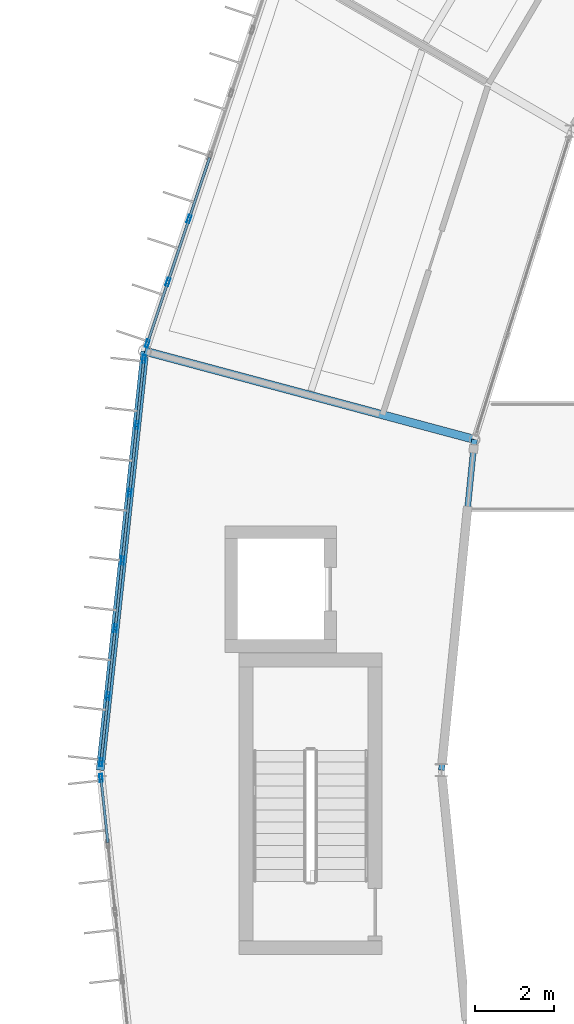
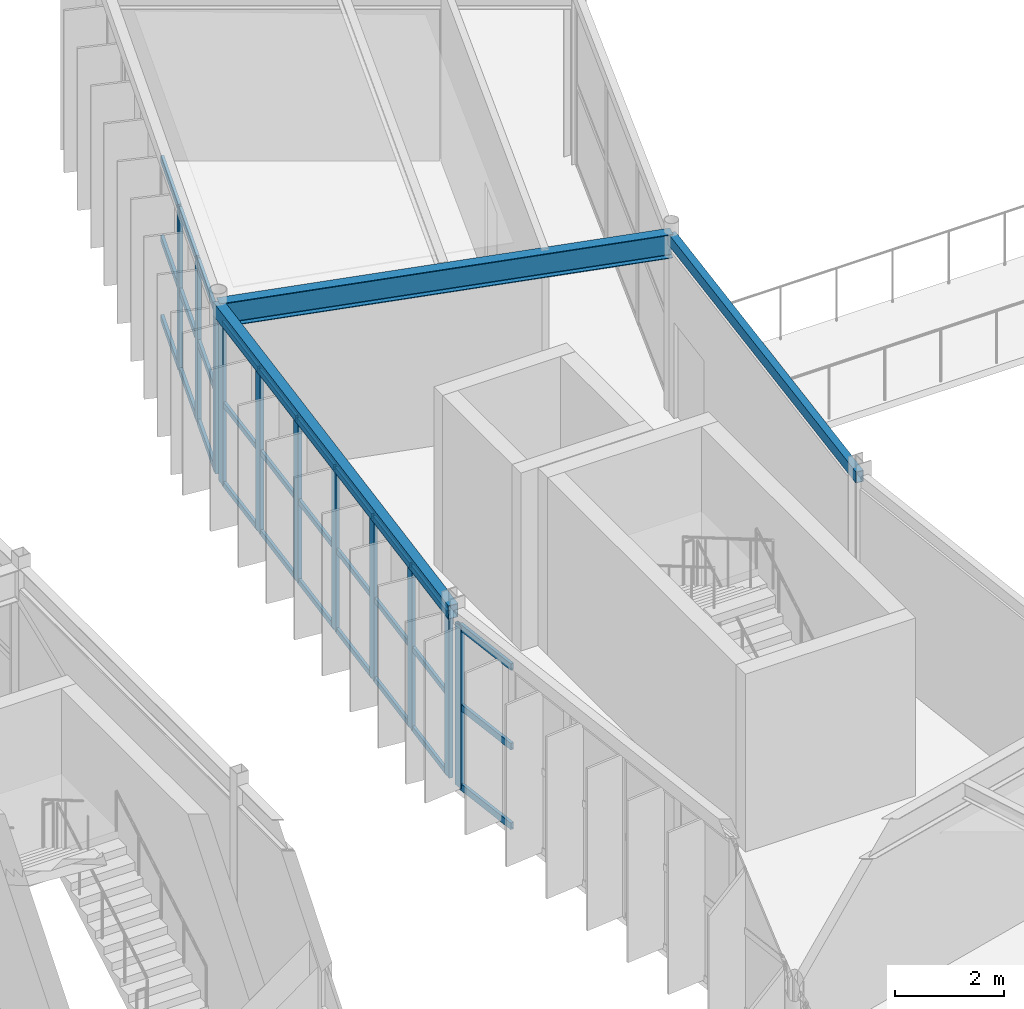
# One storey, part 45 of 148: 41 members, 3 beams, 3 elements without a shape of their own.
"""IFC4 building model written with IfcOpenShell, lengths in metres."""

from ifc_helpers import new_model, si_unit, direction, frame, origin, origin_2d, place, context, subcontext, project, spatial, hollow_rectangle, i_section, extrude, material, material_profile, profile_set, type_object, element, aggregate, save


model = new_model("IFC4")

# Units and contexts
model_context = context("Model", 3, precision=1e-05, world=origin(), true_north=direction((0.0, 1.0)))
body_context = subcontext(model_context, "Body", "Model", "MODEL_VIEW")
ifc_project = project(units=[si_unit("LENGTHUNIT", "METRE"), si_unit("AREAUNIT", "SQUARE_METRE"), si_unit("VOLUMEUNIT", "CUBIC_METRE"), si_unit("PLANEANGLEUNIT", "RADIAN"), si_unit("MASSUNIT", "GRAM", prefix="KILO")], contexts=[model_context])

# Site, building, storey
site_placement = place(None, origin())
site = spatial("IfcSite", under=ifc_project, at=site_placement, CompositionType="ELEMENT")
building_placement = place(site_placement, origin())
building = spatial("IfcBuilding", under=site, at=building_placement, Name="Karori Crest Natural Sciences Institute", CompositionType="ELEMENT")
storey_placement = place(building_placement, frame((0.0, 0.0, 4.89990234375)))
storey = spatial("IfcBuildingStorey", under=building, at=storey_placement, Name="L01", CompositionType="ELEMENT", Elevation=4.89990234375)

# Beams
ifc_material_1 = material(Name="Structural steel AS/NZS 3679.1 Grade 350", Category="steel")
ifc_material_profile_1 = material_profile(ifc_material_1, i_section(OverallWidth=0.208984375, OverallDepth=0.532958984375, WebThickness=0.01025390625, FlangeThickness=0.015625, FilletRadius=0.013916015625, at=origin_2d()), Name="530UB92.4")
ifc_profile_set_1 = profile_set([ifc_material_profile_1], Name="Structural steel AS/NZS 3679.1 Grade 350")
beam_type_1 = type_object("IfcBeamType", Name="BT-05", PredefinedType="BEAM", material=ifc_profile_set_1)
beam_1_placement = place(storey_placement, frame((42.831298828125, 58.23388671875, 3.673583984375), z_axis=(-0.965925622404, 0.258819806009, 0.0), x_axis=(-0.258819806009, -0.965925622404, 0.0)))
element("IfcBeam", 1, at=beam_1_placement, inside=storey, type_object=beam_type_1, Name="Beam B-0225", PredefinedType="BEAM", context=body_context, shape_type="SweptSolid", body=[
    extrude(i_section(OverallWidth=0.208984375, OverallDepth=0.532958984375, WebThickness=0.01025390625, FlangeThickness=0.015625, FilletRadius=0.013916015625, at=origin_2d()), origin(), (0.0, 0.0, 1.0), 8.599853515625),
])
ifc_material_2 = material(Name="Hollow structural steel AS/NZS 1163 Grade C350", Category="steel")
ifc_material_profile_2 = material_profile(ifc_material_2, hollow_rectangle(XDim=0.199951171875, YDim=0.300048828125, WallThickness=0.010009765625, at=origin_2d()), Name="RHS300x200x10")
ifc_profile_set_2 = profile_set([ifc_material_profile_2], Name="Hollow structural steel AS/NZS 1163 Grade C350")
beam_type_2 = type_object("IfcBeamType", Name="BT-15", PredefinedType="SPANDREL", material=ifc_profile_set_2)
beam_2_placement = place(storey_placement, frame((34.5244140625, 60.459716796875, 3.7900390625), z_axis=(-0.105891010563, -0.994377742049, 0.0), x_axis=(0.994377742049, -0.105891010563, 0.0)))
element("IfcBeam", 2, at=beam_2_placement, inside=storey, type_object=beam_type_2, Name="Beam B-0223", PredefinedType="SPANDREL", context=body_context, shape_type="SweptSolid", body=[
    extrude(hollow_rectangle(XDim=0.199951171875, YDim=0.300048828125, WallThickness=0.010009765625, at=origin_2d()), origin(), (0.0, 0.0, 1.0), 10.61962890625),
])
ifc_material_profile_3 = material_profile(ifc_material_2, hollow_rectangle(XDim=0.14990234375, YDim=0.25, WallThickness=0.009033203125, at=origin_2d()), Name="RHS250x150x9")
ifc_profile_set_3 = profile_set([ifc_material_profile_3], Name="Hollow structural steel AS/NZS 1163 Grade C350")
beam_type_3 = type_object("IfcBeamType", Name="BT-16", PredefinedType="SPANDREL", material=ifc_profile_set_3)
beam_3_placement = place(storey_placement, frame((42.831298828125, 58.23388671875, 3.7900390625), z_axis=(-0.099255508608, -0.995061979985, 0.0), x_axis=(0.995061979985, -0.099255508608, 0.0)))
element("IfcBeam", 3, at=beam_3_placement, inside=storey, type_object=beam_type_3, Name="Beam B-0224", PredefinedType="SPANDREL", context=body_context, shape_type="SweptSolid", body=[
    extrude(hollow_rectangle(XDim=0.14990234375, YDim=0.25, WallThickness=0.009033203125, at=origin_2d()), origin(), (0.0, 0.0, 1.0), 8.375244140625),
])

# Curtain wall, members
ifc_material_3 = material(Name="Anodised architectural aluminium 6063-T6", Category="aluminium")
curtain_wall_type_1 = type_object("IfcCurtainWallType", Name="CWT-01", PredefinedType="NOTDEFINED", material=ifc_material_3)
curtain_wall_1_placement = place(storey_placement, origin())
curtain_wall_1 = element("IfcCurtainWall", 4, at=curtain_wall_1_placement, inside=storey, type_object=curtain_wall_type_1, Name="Curtain wall CW-0045", PredefinedType="NOTDEFINED")
ifc_material_profile_4 = material_profile(ifc_material_3, hollow_rectangle(XDim=0.074951171875, YDim=0.199951171875, WallThickness=0.0048828125, at=origin_2d()), Name="CWM200x75x5")
ifc_profile_set_4 = profile_set([ifc_material_profile_4], Name="Anodised architectural aluminium 6063-T6")
member_type_1 = type_object("IfcMemberType", Name="CWM-02", PredefinedType="MULLION", material=ifc_profile_set_4)
member_1_placement = place(storey_placement, frame((34.587158203125, 60.64697265625, 0.0), z_axis=(0.0, 0.0, 1.0), x_axis=(-0.948196219586, 0.317685267462, 0.0)))
member_1 = element("IfcMember", 5, at=member_1_placement, type_object=member_type_1, Name="CW-0045 mullion 1", PredefinedType="MULLION", context=body_context, shape_type="SweptSolid", body=[
    extrude(hollow_rectangle(XDim=0.074951171875, YDim=0.199951171875, WallThickness=0.0048828125, at=origin_2d()), origin(), (0.0, 0.0, 1.0), 3.625),
])
member_2_placement = place(storey_placement, frame((35.10693359375, 62.198486328125, 0.0), z_axis=(0.0, 0.0, 1.0), x_axis=(-0.948196219586, 0.317685267462, 0.0)))
member_2 = element("IfcMember", 6, at=member_2_placement, type_object=member_type_1, Name="CW-0045 mullion 2", PredefinedType="MULLION", context=body_context, shape_type="SweptSolid", body=[
    extrude(hollow_rectangle(XDim=0.074951171875, YDim=0.199951171875, WallThickness=0.0048828125, at=origin_2d()), origin(), (0.0, 0.0, 1.0), 3.625),
])
member_3_placement = place(storey_placement, frame((35.638671875, 63.785400390625, 0.0), z_axis=(0.0, 0.0, 1.0), x_axis=(-0.948196219586, 0.317685267462, 0.0)))
member_3 = element("IfcMember", 7, at=member_3_placement, type_object=member_type_1, Name="CW-0045 mullion 3", PredefinedType="MULLION", context=body_context, shape_type="SweptSolid", body=[
    extrude(hollow_rectangle(XDim=0.074951171875, YDim=0.199951171875, WallThickness=0.0048828125, at=origin_2d()), origin(), (0.0, 0.0, 1.0), 3.625),
])

curtain_wall_type_2 = type_object("IfcCurtainWallType", Name="CWT-02", PredefinedType="NOTDEFINED", material=ifc_material_3)
curtain_wall_2_placement = place(storey_placement, origin())
curtain_wall_2 = element("IfcCurtainWall", 8, at=curtain_wall_2_placement, inside=storey, type_object=curtain_wall_type_2, Name="Curtain wall CW-0047", PredefinedType="NOTDEFINED")
member_4_placement = place(storey_placement, frame((33.421142578125, 50.098876953125, 0.0), z_axis=(0.0, 0.0, 1.0), x_axis=(-0.994378453478, 0.105884329618, 0.0)))
member_4 = element("IfcMember", 9, at=member_4_placement, type_object=member_type_1, Name="CW-0047 mullion 1", PredefinedType="MULLION", context=body_context, shape_type="SweptSolid", body=[
    extrude(hollow_rectangle(XDim=0.074951171875, YDim=0.199951171875, WallThickness=0.0048828125, at=origin_2d()), origin(), (0.0, 0.0, 1.0), 3.625),
])
member_5_placement = place(storey_placement, frame((33.598876953125, 51.76806640625, 0.0), z_axis=(0.0, 0.0, 1.0), x_axis=(-0.994378453478, 0.105884329618, 0.0)))
member_5 = element("IfcMember", 10, at=member_5_placement, type_object=member_type_1, Name="CW-0047 mullion 2", PredefinedType="MULLION", context=body_context, shape_type="SweptSolid", body=[
    extrude(hollow_rectangle(XDim=0.074951171875, YDim=0.199951171875, WallThickness=0.0048828125, at=origin_2d()), origin(), (0.0, 0.0, 1.0), 3.625),
])
member_6_placement = place(storey_placement, frame((33.780517578125, 53.474609375, 0.0), z_axis=(0.0, 0.0, 1.0), x_axis=(-0.994378453478, 0.105884329618, 0.0)))
member_6 = element("IfcMember", 11, at=member_6_placement, type_object=member_type_1, Name="CW-0047 mullion 3", PredefinedType="MULLION", context=body_context, shape_type="SweptSolid", body=[
    extrude(hollow_rectangle(XDim=0.074951171875, YDim=0.199951171875, WallThickness=0.0048828125, at=origin_2d()), origin(), (0.0, 0.0, 1.0), 3.625),
])
member_7_placement = place(storey_placement, frame((33.96240234375, 55.18115234375, 0.0), z_axis=(0.0, 0.0, 1.0), x_axis=(-0.994378453478, 0.105884329618, 0.0)))
member_7 = element("IfcMember", 12, at=member_7_placement, type_object=member_type_1, Name="CW-0047 mullion 4", PredefinedType="MULLION", context=body_context, shape_type="SweptSolid", body=[
    extrude(hollow_rectangle(XDim=0.074951171875, YDim=0.199951171875, WallThickness=0.0048828125, at=origin_2d()), origin(), (0.0, 0.0, 1.0), 3.625),
])
member_8_placement = place(storey_placement, frame((34.14404296875, 56.8876953125, 0.0), z_axis=(0.0, 0.0, 1.0), x_axis=(-0.994378453478, 0.105884329618, 0.0)))
member_8 = element("IfcMember", 13, at=member_8_placement, type_object=member_type_1, Name="CW-0047 mullion 5", PredefinedType="MULLION", context=body_context, shape_type="SweptSolid", body=[
    extrude(hollow_rectangle(XDim=0.074951171875, YDim=0.199951171875, WallThickness=0.0048828125, at=origin_2d()), origin(), (0.0, 0.0, 1.0), 3.625),
])
member_9_placement = place(storey_placement, frame((34.32568359375, 58.59423828125, 0.0), z_axis=(0.0, 0.0, 1.0), x_axis=(-0.994378453478, 0.105884329618, 0.0)))
member_9 = element("IfcMember", 14, at=member_9_placement, type_object=member_type_1, Name="CW-0047 mullion 6", PredefinedType="MULLION", context=body_context, shape_type="SweptSolid", body=[
    extrude(hollow_rectangle(XDim=0.074951171875, YDim=0.199951171875, WallThickness=0.0048828125, at=origin_2d()), origin(), (0.0, 0.0, 1.0), 3.625),
])
member_10_placement = place(storey_placement, frame((34.50341796875, 60.263427734375, 0.0), z_axis=(0.0, 0.0, 1.0), x_axis=(-0.994378453478, 0.105884329618, 0.0)))
member_10 = element("IfcMember", 15, at=member_10_placement, type_object=member_type_1, Name="CW-0047 mullion 7", PredefinedType="MULLION", context=body_context, shape_type="SweptSolid", body=[
    extrude(hollow_rectangle(XDim=0.074951171875, YDim=0.199951171875, WallThickness=0.0048828125, at=origin_2d()), origin(), (0.0, 0.0, 1.0), 3.625),
])

# Curtain wall, member
curtain_wall_type_3 = type_object("IfcCurtainWallType", Name="CWT-03", PredefinedType="NOTDEFINED", material=ifc_material_3)
curtain_wall_3_placement = place(storey_placement, origin())
curtain_wall_3 = element("IfcCurtainWall", 16, at=curtain_wall_3_placement, inside=storey, type_object=curtain_wall_type_3, Name="Curtain wall CW-0048", PredefinedType="NOTDEFINED")
member_11_placement = place(storey_placement, frame((33.421142578125, 49.701171875, 0.0), z_axis=(0.0, 0.0, 1.0), x_axis=(-0.994378742451, -0.105881615789, 0.0)))
member_11 = element("IfcMember", 17, at=member_11_placement, type_object=member_type_1, Name="CW-0048 mullion 7", PredefinedType="MULLION", context=body_context, shape_type="SweptSolid", body=[
    extrude(hollow_rectangle(XDim=0.074951171875, YDim=0.199951171875, WallThickness=0.0048828125, at=origin_2d()), origin(), (0.0, 0.0, 1.0), 3.625),
])

# Member
ifc_material_profile_5 = material_profile(ifc_material_3, hollow_rectangle(XDim=0.06005859375, YDim=0.1201171875, WallThickness=0.00390625, at=origin_2d()), Name="CWT120x60x4")
ifc_profile_set_5 = profile_set([ifc_material_profile_5], Name="Anodised architectural aluminium 6063-T6")
member_type_2 = type_object("IfcMemberType", Name="CWT-TR1", PredefinedType="USERDEFINED", material=ifc_profile_set_5)
member_12_placement = place(storey_placement, frame((33.425048828125, 50.135986328125, 0.030029296875), z_axis=(0.10595259381, 0.994371182137, 0.0), x_axis=(-0.994371182137, 0.10595259381, 0.0)))
member_12 = element("IfcMember", 18, at=member_12_placement, type_object=member_type_2, Name="CW-0047 transom 1.1", ObjectType="TRANSOM", PredefinedType="USERDEFINED", context=body_context, shape_type="SweptSolid", body=[
    extrude(hollow_rectangle(XDim=0.06005859375, YDim=0.1201171875, WallThickness=0.00390625, at=origin_2d()), origin(), (0.0, 0.0, 1.0), 1.603759765625),
])

member_13_placement = place(storey_placement, frame((33.425048828125, 50.135986328125, 1.8125), z_axis=(0.10595259381, 0.994371182137, 0.0), x_axis=(-0.994371182137, 0.10595259381, 0.0)))
member_13 = element("IfcMember", 19, at=member_13_placement, type_object=member_type_2, Name="CW-0047 transom 1.2", ObjectType="TRANSOM", PredefinedType="USERDEFINED", context=body_context, shape_type="SweptSolid", body=[
    extrude(hollow_rectangle(XDim=0.06005859375, YDim=0.1201171875, WallThickness=0.00390625, at=origin_2d()), origin(), (0.0, 0.0, 1.0), 1.603759765625),
])

member_14_placement = place(storey_placement, frame((33.425048828125, 50.135986328125, 3.59521484375), z_axis=(0.10595259381, 0.994371182137, 0.0), x_axis=(-0.994371182137, 0.10595259381, 0.0)))
member_14 = element("IfcMember", 20, at=member_14_placement, type_object=member_type_2, Name="CW-0047 transom 1.3", ObjectType="TRANSOM", PredefinedType="USERDEFINED", context=body_context, shape_type="SweptSolid", body=[
    extrude(hollow_rectangle(XDim=0.06005859375, YDim=0.1201171875, WallThickness=0.00390625, at=origin_2d()), origin(), (0.0, 0.0, 1.0), 1.603759765625),
])

member_15_placement = place(storey_placement, frame((33.602783203125, 51.805419921875, 0.030029296875), z_axis=(0.105923768436, 0.994374253126, 0.0), x_axis=(-0.994374253126, 0.105923768436, 0.0)))
member_15 = element("IfcMember", 21, at=member_15_placement, type_object=member_type_2, Name="CW-0047 transom 2.1", ObjectType="TRANSOM", PredefinedType="USERDEFINED", context=body_context, shape_type="SweptSolid", body=[
    extrude(hollow_rectangle(XDim=0.06005859375, YDim=0.1201171875, WallThickness=0.00390625, at=origin_2d()), origin(), (0.0, 0.0, 1.0), 1.64111328125),
])

member_16_placement = place(storey_placement, frame((33.602783203125, 51.805419921875, 1.8125), z_axis=(0.105923768436, 0.994374253126, 0.0), x_axis=(-0.994374253126, 0.105923768436, 0.0)))
member_16 = element("IfcMember", 22, at=member_16_placement, type_object=member_type_2, Name="CW-0047 transom 2.2", ObjectType="TRANSOM", PredefinedType="USERDEFINED", context=body_context, shape_type="SweptSolid", body=[
    extrude(hollow_rectangle(XDim=0.06005859375, YDim=0.1201171875, WallThickness=0.00390625, at=origin_2d()), origin(), (0.0, 0.0, 1.0), 1.64111328125),
])

member_17_placement = place(storey_placement, frame((33.602783203125, 51.805419921875, 3.59521484375), z_axis=(0.105923768436, 0.994374253126, 0.0), x_axis=(-0.994374253126, 0.105923768436, 0.0)))
member_17 = element("IfcMember", 23, at=member_17_placement, type_object=member_type_2, Name="CW-0047 transom 2.3", ObjectType="TRANSOM", PredefinedType="USERDEFINED", context=body_context, shape_type="SweptSolid", body=[
    extrude(hollow_rectangle(XDim=0.06005859375, YDim=0.1201171875, WallThickness=0.00390625, at=origin_2d()), origin(), (0.0, 0.0, 1.0), 1.64111328125),
])

member_18_placement = place(storey_placement, frame((33.78466796875, 53.511962890625, 0.030029296875), z_axis=(0.105923768436, 0.994374253126, 0.0), x_axis=(-0.994374253126, 0.105923768436, 0.0)))
member_18 = element("IfcMember", 24, at=member_18_placement, type_object=member_type_2, Name="CW-0047 transom 3.1", ObjectType="TRANSOM", PredefinedType="USERDEFINED", context=body_context, shape_type="SweptSolid", body=[
    extrude(hollow_rectangle(XDim=0.06005859375, YDim=0.1201171875, WallThickness=0.00390625, at=origin_2d()), origin(), (0.0, 0.0, 1.0), 1.64111328125),
])

member_19_placement = place(storey_placement, frame((33.78466796875, 53.511962890625, 1.8125), z_axis=(0.105923768436, 0.994374253126, 0.0), x_axis=(-0.994374253126, 0.105923768436, 0.0)))
member_19 = element("IfcMember", 25, at=member_19_placement, type_object=member_type_2, Name="CW-0047 transom 3.2", ObjectType="TRANSOM", PredefinedType="USERDEFINED", context=body_context, shape_type="SweptSolid", body=[
    extrude(hollow_rectangle(XDim=0.06005859375, YDim=0.1201171875, WallThickness=0.00390625, at=origin_2d()), origin(), (0.0, 0.0, 1.0), 1.64111328125),
])

member_20_placement = place(storey_placement, frame((33.78466796875, 53.511962890625, 3.59521484375), z_axis=(0.105923768436, 0.994374253126, 0.0), x_axis=(-0.994374253126, 0.105923768436, 0.0)))
member_20 = element("IfcMember", 26, at=member_20_placement, type_object=member_type_2, Name="CW-0047 transom 3.3", ObjectType="TRANSOM", PredefinedType="USERDEFINED", context=body_context, shape_type="SweptSolid", body=[
    extrude(hollow_rectangle(XDim=0.06005859375, YDim=0.1201171875, WallThickness=0.00390625, at=origin_2d()), origin(), (0.0, 0.0, 1.0), 1.64111328125),
])

member_21_placement = place(storey_placement, frame((33.96630859375, 55.218505859375, 0.030029296875), z_axis=(0.105923768436, 0.994374253126, 0.0), x_axis=(-0.994374253126, 0.105923768436, 0.0)))
member_21 = element("IfcMember", 27, at=member_21_placement, type_object=member_type_2, Name="CW-0047 transom 4.1", ObjectType="TRANSOM", PredefinedType="USERDEFINED", context=body_context, shape_type="SweptSolid", body=[
    extrude(hollow_rectangle(XDim=0.06005859375, YDim=0.1201171875, WallThickness=0.00390625, at=origin_2d()), origin(), (0.0, 0.0, 1.0), 1.64111328125),
])

member_22_placement = place(storey_placement, frame((33.96630859375, 55.218505859375, 1.8125), z_axis=(0.105923768436, 0.994374253126, 0.0), x_axis=(-0.994374253126, 0.105923768436, 0.0)))
member_22 = element("IfcMember", 28, at=member_22_placement, type_object=member_type_2, Name="CW-0047 transom 4.2", ObjectType="TRANSOM", PredefinedType="USERDEFINED", context=body_context, shape_type="SweptSolid", body=[
    extrude(hollow_rectangle(XDim=0.06005859375, YDim=0.1201171875, WallThickness=0.00390625, at=origin_2d()), origin(), (0.0, 0.0, 1.0), 1.64111328125),
])

member_23_placement = place(storey_placement, frame((33.96630859375, 55.218505859375, 3.59521484375), z_axis=(0.105923768436, 0.994374253126, 0.0), x_axis=(-0.994374253126, 0.105923768436, 0.0)))
member_23 = element("IfcMember", 29, at=member_23_placement, type_object=member_type_2, Name="CW-0047 transom 4.3", ObjectType="TRANSOM", PredefinedType="USERDEFINED", context=body_context, shape_type="SweptSolid", body=[
    extrude(hollow_rectangle(XDim=0.06005859375, YDim=0.1201171875, WallThickness=0.00390625, at=origin_2d()), origin(), (0.0, 0.0, 1.0), 1.64111328125),
])

member_24_placement = place(storey_placement, frame((34.14794921875, 56.9248046875, 0.030029296875), z_axis=(0.105908101183, 0.994375921925, 0.0), x_axis=(-0.994375921925, 0.105908101183, 0.0)))
member_24 = element("IfcMember", 30, at=member_24_placement, type_object=member_type_2, Name="CW-0047 transom 5.1", ObjectType="TRANSOM", PredefinedType="USERDEFINED", context=body_context, shape_type="SweptSolid", body=[
    extrude(hollow_rectangle(XDim=0.06005859375, YDim=0.1201171875, WallThickness=0.00390625, at=origin_2d()), origin(), (0.0, 0.0, 1.0), 1.641357421875),
])

member_25_placement = place(storey_placement, frame((34.14794921875, 56.9248046875, 1.8125), z_axis=(0.105908101183, 0.994375921925, 0.0), x_axis=(-0.994375921925, 0.105908101183, 0.0)))
member_25 = element("IfcMember", 31, at=member_25_placement, type_object=member_type_2, Name="CW-0047 transom 5.2", ObjectType="TRANSOM", PredefinedType="USERDEFINED", context=body_context, shape_type="SweptSolid", body=[
    extrude(hollow_rectangle(XDim=0.06005859375, YDim=0.1201171875, WallThickness=0.00390625, at=origin_2d()), origin(), (0.0, 0.0, 1.0), 1.641357421875),
])

member_26_placement = place(storey_placement, frame((34.14794921875, 56.9248046875, 3.59521484375), z_axis=(0.105908101183, 0.994375921925, 0.0), x_axis=(-0.994375921925, 0.105908101183, 0.0)))
member_26 = element("IfcMember", 32, at=member_26_placement, type_object=member_type_2, Name="CW-0047 transom 5.3", ObjectType="TRANSOM", PredefinedType="USERDEFINED", context=body_context, shape_type="SweptSolid", body=[
    extrude(hollow_rectangle(XDim=0.06005859375, YDim=0.1201171875, WallThickness=0.00390625, at=origin_2d()), origin(), (0.0, 0.0, 1.0), 1.641357421875),
])

member_27_placement = place(storey_placement, frame((34.329833984375, 58.63134765625, 0.030029296875), z_axis=(0.105802068367, 0.994387209456, 0.0), x_axis=(-0.994387209456, 0.105802068367, 0.0)))
member_27 = element("IfcMember", 33, at=member_27_placement, type_object=member_type_2, Name="CW-0047 transom 6.1", ObjectType="TRANSOM", PredefinedType="USERDEFINED", context=body_context, shape_type="SweptSolid", body=[
    extrude(hollow_rectangle(XDim=0.06005859375, YDim=0.1201171875, WallThickness=0.00390625, at=origin_2d()), origin(), (0.0, 0.0, 1.0), 1.603759765625),
])

member_28_placement = place(storey_placement, frame((34.329833984375, 58.63134765625, 1.8125), z_axis=(0.105802068367, 0.994387209456, 0.0), x_axis=(-0.994387209456, 0.105802068367, 0.0)))
member_28 = element("IfcMember", 34, at=member_28_placement, type_object=member_type_2, Name="CW-0047 transom 6.2", ObjectType="TRANSOM", PredefinedType="USERDEFINED", context=body_context, shape_type="SweptSolid", body=[
    extrude(hollow_rectangle(XDim=0.06005859375, YDim=0.1201171875, WallThickness=0.00390625, at=origin_2d()), origin(), (0.0, 0.0, 1.0), 1.603759765625),
])

member_29_placement = place(storey_placement, frame((34.329833984375, 58.63134765625, 3.59521484375), z_axis=(0.105802068367, 0.994387209456, 0.0), x_axis=(-0.994387209456, 0.105802068367, 0.0)))
member_29 = element("IfcMember", 35, at=member_29_placement, type_object=member_type_2, Name="CW-0047 transom 6.3", ObjectType="TRANSOM", PredefinedType="USERDEFINED", context=body_context, shape_type="SweptSolid", body=[
    extrude(hollow_rectangle(XDim=0.06005859375, YDim=0.1201171875, WallThickness=0.00390625, at=origin_2d()), origin(), (0.0, 0.0, 1.0), 1.603759765625),
])

aggregate(curtain_wall_2, [member_4, member_5, member_6, member_7, member_8, member_9, member_10, member_12, member_13, member_14, member_15, member_16, member_17, member_18, member_19, member_20, member_21, member_22, member_23, member_24, member_25, member_26, member_27, member_28, member_29])

ifc_material_profile_6 = material_profile(ifc_material_3, hollow_rectangle(XDim=0.06494140625, YDim=0.14990234375, WallThickness=0.00390625, at=origin_2d()), Name="CWT150x65x4")
ifc_profile_set_6 = profile_set([ifc_material_profile_6], Name="Anodised architectural aluminium 6063-T6")
member_type_3 = type_object("IfcMemberType", Name="CWT-TR2", PredefinedType="USERDEFINED", material=ifc_profile_set_6)
member_30_placement = place(storey_placement, frame((34.59912109375, 60.6826171875, 0.03271484375), z_axis=(0.317634958397, 0.948213073736, 0.0), x_axis=(-0.948213073736, 0.317634958397, 0.0)))
member_30 = element("IfcMember", 36, at=member_30_placement, type_object=member_type_3, Name="CW-0045 transom 1.1", ObjectType="TRANSOM", PredefinedType="USERDEFINED", context=body_context, shape_type="SweptSolid", body=[
    extrude(hollow_rectangle(XDim=0.06494140625, YDim=0.14990234375, WallThickness=0.00390625, at=origin_2d()), origin(), (0.0, 0.0, 1.0), 1.56103515625),
])

member_31_placement = place(storey_placement, frame((34.59912109375, 60.6826171875, 1.8125), z_axis=(0.317634958397, 0.948213073736, 0.0), x_axis=(-0.948213073736, 0.317634958397, 0.0)))
member_31 = element("IfcMember", 37, at=member_31_placement, type_object=member_type_3, Name="CW-0045 transom 1.2", ObjectType="TRANSOM", PredefinedType="USERDEFINED", context=body_context, shape_type="SweptSolid", body=[
    extrude(hollow_rectangle(XDim=0.06494140625, YDim=0.14990234375, WallThickness=0.00390625, at=origin_2d()), origin(), (0.0, 0.0, 1.0), 1.56103515625),
])

member_32_placement = place(storey_placement, frame((34.59912109375, 60.6826171875, 3.592529296875), z_axis=(0.317634958397, 0.948213073736, 0.0), x_axis=(-0.948213073736, 0.317634958397, 0.0)))
member_32 = element("IfcMember", 38, at=member_32_placement, type_object=member_type_3, Name="CW-0045 transom 1.3", ObjectType="TRANSOM", PredefinedType="USERDEFINED", context=body_context, shape_type="SweptSolid", body=[
    extrude(hollow_rectangle(XDim=0.06494140625, YDim=0.14990234375, WallThickness=0.00390625, at=origin_2d()), origin(), (0.0, 0.0, 1.0), 1.56103515625),
])

member_33_placement = place(storey_placement, frame((35.118896484375, 62.234130859375, 0.03271484375), z_axis=(0.317693666767, 0.948193405427, 0.0), x_axis=(-0.948193405427, 0.317693666767, 0.0)))
member_33 = element("IfcMember", 39, at=member_33_placement, type_object=member_type_3, Name="CW-0045 transom 2.1", ObjectType="TRANSOM", PredefinedType="USERDEFINED", context=body_context, shape_type="SweptSolid", body=[
    extrude(hollow_rectangle(XDim=0.06494140625, YDim=0.14990234375, WallThickness=0.00390625, at=origin_2d()), origin(), (0.0, 0.0, 1.0), 1.598388671875),
])

member_34_placement = place(storey_placement, frame((35.118896484375, 62.234130859375, 1.8125), z_axis=(0.317693666767, 0.948193405427, 0.0), x_axis=(-0.948193405427, 0.317693666767, 0.0)))
member_34 = element("IfcMember", 40, at=member_34_placement, type_object=member_type_3, Name="CW-0045 transom 2.2", ObjectType="TRANSOM", PredefinedType="USERDEFINED", context=body_context, shape_type="SweptSolid", body=[
    extrude(hollow_rectangle(XDim=0.06494140625, YDim=0.14990234375, WallThickness=0.00390625, at=origin_2d()), origin(), (0.0, 0.0, 1.0), 1.598388671875),
])

member_35_placement = place(storey_placement, frame((35.118896484375, 62.234130859375, 3.592529296875), z_axis=(0.317693666767, 0.948193405427, 0.0), x_axis=(-0.948193405427, 0.317693666767, 0.0)))
member_35 = element("IfcMember", 41, at=member_35_placement, type_object=member_type_3, Name="CW-0045 transom 2.3", ObjectType="TRANSOM", PredefinedType="USERDEFINED", context=body_context, shape_type="SweptSolid", body=[
    extrude(hollow_rectangle(XDim=0.06494140625, YDim=0.14990234375, WallThickness=0.00390625, at=origin_2d()), origin(), (0.0, 0.0, 1.0), 1.598388671875),
])

member_36_placement = place(storey_placement, frame((35.650634765625, 63.821044921875, 0.03271484375), z_axis=(0.317647663217, 0.948208817747, 0.0), x_axis=(-0.948208817747, 0.317647663217, 0.0)))
member_36 = element("IfcMember", 42, at=member_36_placement, type_object=member_type_3, Name="CW-0045 transom 3.1", ObjectType="TRANSOM", PredefinedType="USERDEFINED", context=body_context, shape_type="SweptSolid", body=[
    extrude(hollow_rectangle(XDim=0.06494140625, YDim=0.14990234375, WallThickness=0.00390625, at=origin_2d()), origin(), (0.0, 0.0, 1.0), 1.5986328125),
])

member_37_placement = place(storey_placement, frame((35.650634765625, 63.821044921875, 1.8125), z_axis=(0.317647663217, 0.948208817747, 0.0), x_axis=(-0.948208817747, 0.317647663217, 0.0)))
member_37 = element("IfcMember", 43, at=member_37_placement, type_object=member_type_3, Name="CW-0045 transom 3.2", ObjectType="TRANSOM", PredefinedType="USERDEFINED", context=body_context, shape_type="SweptSolid", body=[
    extrude(hollow_rectangle(XDim=0.06494140625, YDim=0.14990234375, WallThickness=0.00390625, at=origin_2d()), origin(), (0.0, 0.0, 1.0), 1.5986328125),
])

member_38_placement = place(storey_placement, frame((35.650634765625, 63.821044921875, 3.592529296875), z_axis=(0.317647663217, 0.948208817747, 0.0), x_axis=(-0.948208817747, 0.317647663217, 0.0)))
member_38 = element("IfcMember", 44, at=member_38_placement, type_object=member_type_3, Name="CW-0045 transom 3.3", ObjectType="TRANSOM", PredefinedType="USERDEFINED", context=body_context, shape_type="SweptSolid", body=[
    extrude(hollow_rectangle(XDim=0.06494140625, YDim=0.14990234375, WallThickness=0.00390625, at=origin_2d()), origin(), (0.0, 0.0, 1.0), 1.5986328125),
])

aggregate(curtain_wall_1, [member_1, member_2, member_3, member_30, member_31, member_32, member_33, member_34, member_35, member_36, member_37, member_38])

member_39_placement = place(storey_placement, frame((33.5947265625, 48.07177734375, 0.03271484375), z_axis=(-0.105978538573, 0.994368417319, 0.0), x_axis=(-0.994368417319, -0.105978538573, 0.0)))
member_39 = element("IfcMember", 45, at=member_39_placement, type_object=member_type_3, Name="CW-0048 transom 6.1", ObjectType="TRANSOM", PredefinedType="USERDEFINED", context=body_context, shape_type="SweptSolid", body=[
    extrude(hollow_rectangle(XDim=0.06494140625, YDim=0.14990234375, WallThickness=0.00390625, at=origin_2d()), origin(), (0.0, 0.0, 1.0), 1.60107421875),
])

member_40_placement = place(storey_placement, frame((33.5947265625, 48.07177734375, 1.8125), z_axis=(-0.105978538573, 0.994368417319, 0.0), x_axis=(-0.994368417319, -0.105978538573, 0.0)))
member_40 = element("IfcMember", 46, at=member_40_placement, type_object=member_type_3, Name="CW-0048 transom 6.2", ObjectType="TRANSOM", PredefinedType="USERDEFINED", context=body_context, shape_type="SweptSolid", body=[
    extrude(hollow_rectangle(XDim=0.06494140625, YDim=0.14990234375, WallThickness=0.00390625, at=origin_2d()), origin(), (0.0, 0.0, 1.0), 1.60107421875),
])

member_41_placement = place(storey_placement, frame((33.5947265625, 48.07177734375, 3.592529296875), z_axis=(-0.105978538573, 0.994368417319, 0.0), x_axis=(-0.994368417319, -0.105978538573, 0.0)))
member_41 = element("IfcMember", 47, at=member_41_placement, type_object=member_type_3, Name="CW-0048 transom 6.3", ObjectType="TRANSOM", PredefinedType="USERDEFINED", context=body_context, shape_type="SweptSolid", body=[
    extrude(hollow_rectangle(XDim=0.06494140625, YDim=0.14990234375, WallThickness=0.00390625, at=origin_2d()), origin(), (0.0, 0.0, 1.0), 1.60107421875),
])

aggregate(curtain_wall_3, [member_11, member_39, member_40, member_41])

save(model, "model.ifc")
